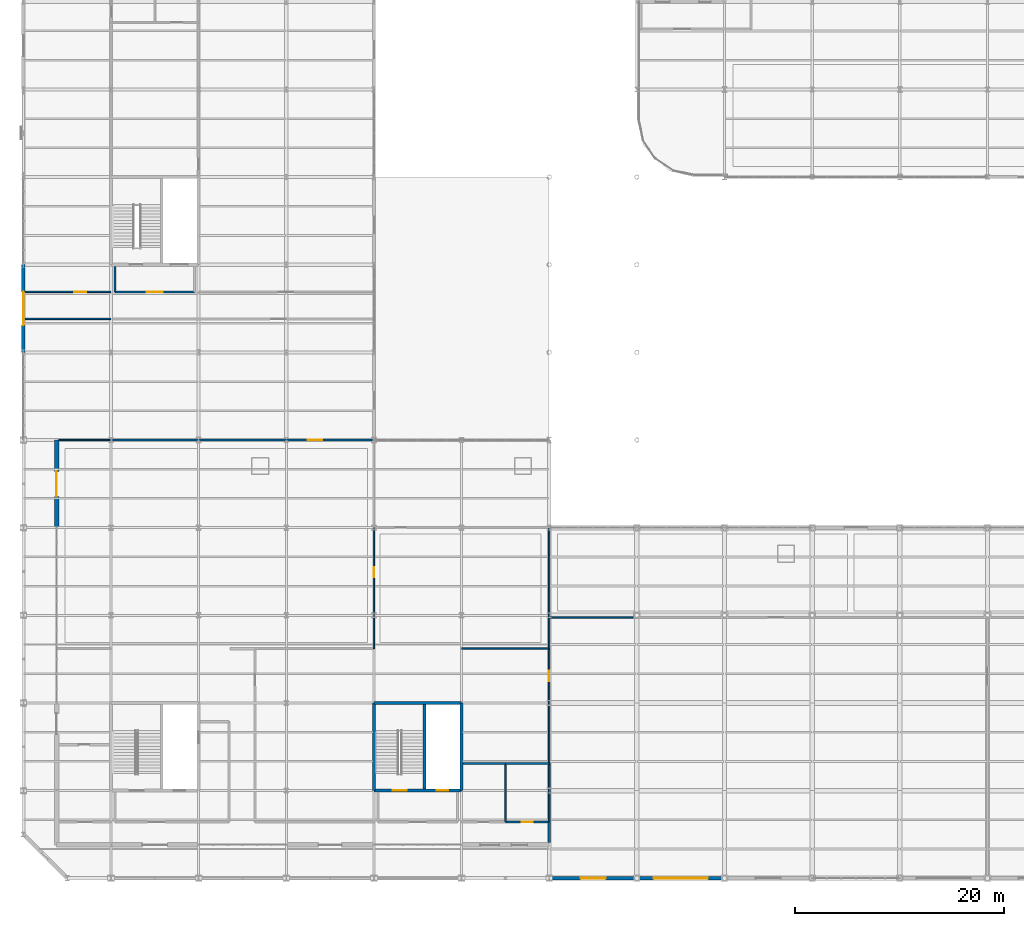
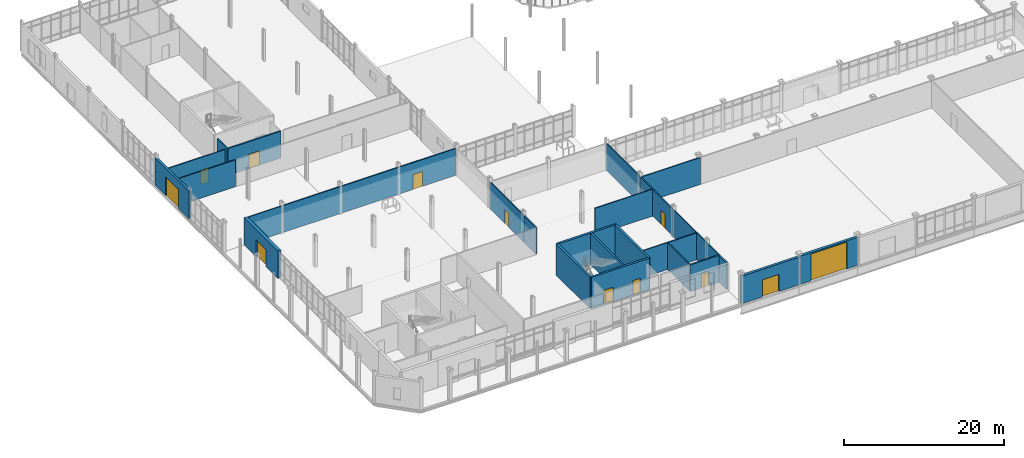
# One storey, part 124 of 145: 28 walls, 12 doors, 12 openings.
"""IFC4 building model written with IfcOpenShell, lengths in metres."""

import ifcopenshell
import ifcopenshell.guid

model = None  # the IFC model being written
_history = None  # IfcOwnerHistory: only IFC2X3 demands one
_inside = {}  # id of a spatial element -> (the spatial element, [elements in it])
_under = {}  # id of a project, library or spatial element -> (it, [spatial elements below it])
_declared = {}  # id of a project -> (the project, [libraries it declares])
_typed = {}  # id of a type object -> (the type object, [elements of that type])
_made_of = {}  # id of a material, layer set ... -> (it, [elements and type objects made of it])


def new_model(schema):
    """Start an empty IFC model of exactly this schema.

    Asked for "IFC4X3", IfcOpenShell would pick the latest addendum, in which some entities
    have other attributes; the version numbers below select the first issue.
    IFC2X3 requires an IfcOwnerHistory on every rooted entity: one is made here for all.
    """
    global model, _history
    if schema == "IFC4X3":
        model = ifcopenshell.file(schema_version=(4, 3, 0, 0))
    else:
        model = ifcopenshell.file(schema=schema)
    _inside.clear()
    _under.clear()
    _declared.clear()
    _typed.clear()
    _made_of.clear()
    _history = None
    if model.schema == "IFC2X3":
        org = make("IfcOrganization", Name="unknown")
        user = make(
            "IfcPersonAndOrganization",
            ThePerson=make("IfcPerson", FamilyName="unknown"),
            TheOrganization=org,
        )
        app = make(
            "IfcApplication",
            ApplicationDeveloper=org,
            Version="unknown",
            ApplicationFullName="unknown",
            ApplicationIdentifier="unknown",
        )
        _history = make(
            "IfcOwnerHistory",
            OwningUser=user,
            OwningApplication=app,
            ChangeAction="ADDED",
            CreationDate=0,
        )
    return model


def make(cls, **values):
    """One entity of the class cls with the attributes given. An attribute that is None is left unset."""
    return model.create_entity(
        cls, **{name: value for name, value in values.items() if value is not None}
    )


def rooted(cls, **values):
    """An entity with a GlobalId (a new one), such as an element, a storey or a relation."""
    return make(cls, GlobalId=ifcopenshell.guid.new(), OwnerHistory=_history, **values)


def si_unit(unit_type, name, prefix=None):
    """IfcSIUnit, for example si_unit("LENGTHUNIT", "METRE", prefix="MILLI")."""
    return make("IfcSIUnit", UnitType=unit_type, Prefix=prefix, Name=name)


def assignment(units):
    """IfcUnitAssignment: the units of a project."""
    return None if units is None else make("IfcUnitAssignment", Units=units)


def point(xyz):
    """IfcCartesianPoint."""
    return None if xyz is None else make("IfcCartesianPoint", Coordinates=xyz)


def direction(xyz):
    """IfcDirection."""
    return None if xyz is None else make("IfcDirection", DirectionRatios=xyz)


def frame(location, z_axis=None, x_axis=None):
    """IfcAxis2Placement3D, a coordinate frame: its origin and axes. An axis left out is left unset."""
    return make(
        "IfcAxis2Placement3D",
        Location=point(location),
        Axis=direction(z_axis),
        RefDirection=direction(x_axis),
    )


def frame_2d(location, x_axis=None):
    """IfcAxis2Placement2D, a coordinate frame in the plane: its origin and x axis."""
    return make(
        "IfcAxis2Placement2D", Location=point(location), RefDirection=direction(x_axis)
    )


def origin():
    """The frame at (0, 0, 0) with its axes left unset."""
    return frame((0.0, 0.0, 0.0))


def place(relative_to, where):
    """IfcLocalPlacement: puts the frame where relative to a parent placement (None: the world)."""
    return make(
        "IfcLocalPlacement", PlacementRelTo=relative_to, RelativePlacement=where
    )


def context(
    kind, dimensions, precision=None, world=None, true_north=None, identifier=None
):
    """IfcGeometricRepresentationContext, for example the 3D "Model" context."""
    return make(
        "IfcGeometricRepresentationContext",
        ContextIdentifier=identifier,
        ContextType=kind,
        CoordinateSpaceDimension=dimensions,
        Precision=precision,
        WorldCoordinateSystem=world,
        TrueNorth=true_north,
    )


def subcontext(parent, identifier, kind, view, scale=None):
    """IfcGeometricRepresentationSubContext, for example "Body" below "Model"."""
    return make(
        "IfcGeometricRepresentationSubContext",
        ContextIdentifier=identifier,
        ContextType=kind,
        ParentContext=parent,
        TargetScale=scale,
        TargetView=view,
    )


def project(units=None, contexts=None):
    """IfcProject with its units and contexts."""
    return rooted(
        "IfcProject",
        Name="project",
        RepresentationContexts=contexts,
        UnitsInContext=assignment(units),
    )


def spatial(cls, under=None, at=None, **own):
    """A site, building, storey or space (cls), placed at a placement, below another one or the project."""
    s = rooted(cls, ObjectPlacement=at, **own)
    if under is not None:
        _under.setdefault(under.id(), (under, []))[1].append(s)
    return s


def profile(cls, at=None, kind="AREA", **sizes):
    """A parametric profile (cls). Its sizes go by their IFC names, for example OverallWidth=200.0."""
    return make(cls, ProfileType=kind, Position=at, **sizes)


def rectangle(**sizes):
    """IfcRectangleProfileDef."""
    return profile("IfcRectangleProfileDef", **sizes)


def extrude(swept, where, along, depth):
    """IfcExtrudedAreaSolid: the profile swept, set in the frame where, extruded along a direction by depth."""
    return make(
        "IfcExtrudedAreaSolid",
        SweptArea=swept,
        Position=where,
        ExtrudedDirection=direction(along),
        Depth=depth,
    )


def shape(context_of_items, identifier, shape_type, items):
    """IfcShapeRepresentation: the items that make up one representation, for example the "Body"."""
    return make(
        "IfcShapeRepresentation",
        ContextOfItems=context_of_items,
        RepresentationIdentifier=identifier,
        RepresentationType=shape_type,
        Items=items,
    )


def material(Name=None, Category=None):
    """IfcMaterial."""
    return make("IfcMaterial", Name=Name, Category=Category)


def layer(
    of_material, thickness, ventilated=None, Name=None, Category=None, Priority=None
):
    """IfcMaterialLayer: one layer of a wall or slab, of a material (None: an air gap)."""
    return make(
        "IfcMaterialLayer",
        Material=of_material,
        LayerThickness=thickness,
        IsVentilated=ventilated,
        Name=Name,
        Category=Category,
        Priority=Priority,
    )


def layer_set(layers, Name=None):
    """IfcMaterialLayerSet."""
    return make("IfcMaterialLayerSet", MaterialLayers=layers, LayerSetName=Name)


def made_of(thing, what):
    """Note that an element or type object is made of a material, layer set ...; save() writes the relation."""
    if what is not None:
        _made_of.setdefault(what.id(), (what, []))[1].append(thing)
    return thing


def type_object(cls, material=None, **own):
    """A type object (cls), such as IfcWallType, which elements share."""
    return made_of(rooted(cls, **own), material)


def element(
    cls,
    number,
    at=None,
    inside=None,
    cuts=None,
    type_object=None,
    material=None,
    context=None,
    identifier="Body",
    shape_type=None,
    held_by="IfcProductDefinitionShape",
    body=None,
    shapes=None,
    **own,
):
    """One element of the class cls, such as IfcWall. Its Tag is "e" and its number.

    at: its placement. inside: the storey or other place that contains it. cuts: it is an
    opening in that element (IfcRelVoidsElement). A single representation is given by context,
    identifier, shape_type and body (its items); several are given by shapes. held_by: the class
    of the entity that holds the representations. save() writes the other relations.
    """
    e = rooted(cls, Tag="e%d" % number, ObjectPlacement=at, **own)
    if body is not None:
        shapes = [shape(context, identifier, shape_type, body)]
    if shapes is not None:
        e.Representation = make(held_by, Representations=shapes)
    if inside is not None:
        _inside.setdefault(inside.id(), (inside, []))[1].append(e)
    if cuts is not None:
        rooted(
            "IfcRelVoidsElement", RelatingBuildingElement=cuts, RelatedOpeningElement=e
        )
    if type_object is not None:
        _typed.setdefault(type_object.id(), (type_object, []))[1].append(e)
    return made_of(e, material)


def fill(opening, filler):
    """IfcRelFillsElement: the door or window that sits in an opening."""
    return rooted(
        "IfcRelFillsElement",
        RelatingOpeningElement=opening,
        RelatedBuildingElement=filler,
    )


def aggregate(whole, parts):
    """IfcRelAggregates: a whole, such as a stair, and the parts it consists of."""
    return rooted("IfcRelAggregates", RelatingObject=whole, RelatedObjects=parts)


def save(model, path):
    """Write the relations noted so far, then the file.

    IfcRelAggregates (storeys below a building ...), IfcRelContainedInSpatialStructure (elements
    in a storey), IfcRelDefinesByType, IfcRelAssociatesMaterial and IfcRelDeclares: one each for
    every whole, place, type object, material and project.
    """
    for whole, parts in _under.values():
        aggregate(whole, parts)
    for where, things in _inside.values():
        rooted(
            "IfcRelContainedInSpatialStructure",
            RelatedElements=things,
            RelatingStructure=where,
        )
    for kind, things in _typed.values():
        rooted("IfcRelDefinesByType", RelatedObjects=things, RelatingType=kind)
    for what, things in _made_of.values():
        rooted("IfcRelAssociatesMaterial", RelatedObjects=things, RelatingMaterial=what)
    for by, libraries in _declared.values():
        rooted("IfcRelDeclares", RelatingContext=by, RelatedDefinitions=libraries)
    model.write(path)


model = new_model("IFC4")

# Units and contexts
model_context = context("Model", 3, precision=1e-05, world=origin(), true_north=direction((0.0, 1.0)))
body_context = subcontext(model_context, "Body", "Model", "MODEL_VIEW")
ifc_project = project(units=[si_unit("LENGTHUNIT", "METRE"), si_unit("AREAUNIT", "SQUARE_METRE"), si_unit("VOLUMEUNIT", "CUBIC_METRE"), si_unit("PLANEANGLEUNIT", "RADIAN"), si_unit("MASSUNIT", "GRAM", prefix="KILO")], contexts=[model_context])

# Site, building, storey
site_placement = place(None, origin())
site = spatial("IfcSite", under=ifc_project, at=site_placement, CompositionType="ELEMENT")
building_placement = place(site_placement, origin())
building = spatial("IfcBuilding", under=site, at=building_placement, Name="Qalvenar Corner Mobility Hub", CompositionType="ELEMENT")
storey_placement = place(building_placement, origin())
storey = spatial("IfcBuildingStorey", under=building, at=storey_placement, Name="L00", CompositionType="ELEMENT", Elevation=0.0)

# Wall
ifc_material_1 = material(Name="Concrete C40/50", Category="concrete")
ifc_layer_1 = layer(ifc_material_1, 0.25)
ifc_layer_set_1 = layer_set([ifc_layer_1], Name="Concrete C40/50")
wall_type_1 = type_object("IfcWallType", Name="WL-CORE250", PredefinedType="SHEAR", material=ifc_layer_set_1)
wall_1_placement = place(storey_placement, frame((38.449951171875, 8.550048828125, 0.0), z_axis=(0.0, 0.0, 1.0), x_axis=(0.0, 1.0, 0.0)))
element("IfcWall", 1, at=wall_1_placement, inside=storey, type_object=wall_type_1, Name="Core Divider Wall C2-L00", PredefinedType="SHEAR", context=body_context, shape_type="SweptSolid", body=[
    extrude(rectangle(XDim=8.099853515625, YDim=0.25, at=frame_2d((4.0498046875, 0.0))), origin(), (0.0, 0.0, 1.0), 4.800048828125),
])

# Wall, openings, doors
ifc_layer_2 = layer(ifc_material_1, 0.300048828125)
ifc_layer_set_2 = layer_set([ifc_layer_2], Name="Concrete C40/50")
wall_type_2 = type_object("IfcWallType", Name="WL-CORE300", PredefinedType="SHEAR", material=ifc_layer_set_2)
wall_2_placement = place(storey_placement, frame((33.60009765625, 8.39990234375, 0.0), z_axis=(0.0, 0.0, 1.0), x_axis=(1.0, 0.0, 0.0)))
wall_2 = element("IfcWall", 2, at=wall_2_placement, inside=storey, type_object=wall_type_2, Name="Core Shear Wall C2-L00-S", PredefinedType="SHEAR", context=body_context, shape_type="SweptSolid", body=[
    extrude(rectangle(XDim=8.39990234375, YDim=0.300048828125, at=frame_2d((4.199951171875, 0.0))), origin(), (0.0, 0.0, 1.0), 4.800048828125),
])
opening_1_placement = place(wall_2_placement, frame((1.800048828125, 0.0, 0.0)))
opening_1 = element("IfcOpeningElement", 3, at=opening_1_placement, cuts=wall_2, Name="Opening DR-071", PredefinedType="OPENING", context=body_context, shape_type="SweptSolid", body=[
    extrude(rectangle(XDim=1.35009765625, YDim=2.199951171875, at=frame_2d((0.675048828125, 1.10009765625))), frame((0.0, 0.16015625, 0.0), z_axis=(0.0, -1.0, 0.0), x_axis=(1.0, 0.0, 0.0)), (0.0, 0.0, 1.0), 0.320068359375),
])
opening_2_placement = place(wall_2_placement, frame((6.0, 0.0, 0.0)))
opening_2 = element("IfcOpeningElement", 4, at=opening_2_placement, cuts=wall_2, Name="Opening DR-072", PredefinedType="OPENING", context=body_context, shape_type="SweptSolid", body=[
    extrude(rectangle(XDim=1.10009765625, YDim=2.199951171875, at=frame_2d((0.550048828125, 1.10009765625))), frame((0.0, 0.16015625, 0.0), z_axis=(0.0, -1.0, 0.0), x_axis=(1.0, 0.0, 0.0)), (0.0, 0.0, 1.0), 0.320068359375),
])
ifc_material_2 = material(Name="Stainless Steel Lift Landing Door", Category="steel")
door_type_1 = type_object("IfcDoorType", Name="DR-LIFT-110", OperationType="SLIDING_TO_LEFT", PredefinedType="DOOR", material=ifc_material_2)
door_1_placement = place(opening_2_placement, origin())
door_1 = element("IfcDoor", 5, at=door_1_placement, inside=storey, type_object=door_type_1, Name="DR-072 Lift Landing Door LF2-L00", OperationType="SLIDING_TO_LEFT", OverallHeight=2.199951171875, OverallWidth=1.10009765625, PredefinedType="DOOR", context=body_context, shape_type="SweptSolid", body=[
    extrude(rectangle(XDim=1.10009765625, YDim=2.199951171875, at=frame_2d((0.550048828125, 1.10009765625))), frame((0.0, 0.02490234375, 0.0), z_axis=(0.0, -1.0, 0.0), x_axis=(1.0, 0.0, 0.0)), (0.0, 0.0, 1.0), 0.050048828125),
])
fill(opening_2, door_1)
ifc_material_3 = material(Name="Fire-Rated Steel Stair Door FD90", Category="steel")
door_type_2 = type_object("IfcDoorType", Name="DR-STAIR-135", OperationType="NOTDEFINED", PredefinedType="DOOR", material=ifc_material_3)
door_2_placement = place(opening_1_placement, origin())
door_2 = element("IfcDoor", 6, at=door_2_placement, inside=storey, type_object=door_type_2, Name="DR-071 Stair Fire Door ST2-L00", OperationType="SINGLE_SWING_RIGHT", OverallHeight=2.199951171875, OverallWidth=1.35009765625, PredefinedType="DOOR", context=body_context, shape_type="SweptSolid", body=[
    extrude(rectangle(XDim=1.35009765625, YDim=2.199951171875, at=frame_2d((0.675048828125, 1.10009765625))), frame((0.0, 0.02490234375, 0.0), z_axis=(0.0, -1.0, 0.0), x_axis=(1.0, 0.0, 0.0)), (0.0, 0.0, 1.0), 0.050048828125),
])
fill(opening_1, door_2)

# Walls
wall_3_placement = place(storey_placement, frame((42.0, 8.39990234375, 0.0), z_axis=(0.0, 0.0, 1.0), x_axis=(0.0, 1.0, 0.0)))
element("IfcWall", 7, at=wall_3_placement, inside=storey, type_object=wall_type_2, Name="Core Shear Wall C2-L00-E", PredefinedType="SHEAR", context=body_context, shape_type="SweptSolid", body=[
    extrude(rectangle(XDim=8.400146484375, YDim=0.300048828125, at=frame_2d((4.2001953125, 0.0))), origin(), (0.0, 0.0, 1.0), 4.800048828125),
])
wall_4_placement = place(storey_placement, frame((42.0, 16.800048828125, 0.0), z_axis=(0.0, 0.0, 1.0), x_axis=(-1.0, 0.0, 0.0)))
element("IfcWall", 8, at=wall_4_placement, inside=storey, type_object=wall_type_2, Name="Core Shear Wall C2-L00-N", PredefinedType="SHEAR", context=body_context, shape_type="SweptSolid", body=[
    extrude(rectangle(XDim=8.39990234375, YDim=0.300048828125, at=frame_2d((4.199951171875, 0.0))), origin(), (0.0, 0.0, 1.0), 4.800048828125),
])
wall_5_placement = place(storey_placement, frame((33.60009765625, 16.800048828125, 0.0), z_axis=(0.0, 0.0, 1.0), x_axis=(0.0, -1.0, 0.0)))
element("IfcWall", 9, at=wall_5_placement, inside=storey, type_object=wall_type_2, Name="Core Shear Wall C2-L00-W", PredefinedType="SHEAR", context=body_context, shape_type="SweptSolid", body=[
    extrude(rectangle(XDim=8.400146484375, YDim=0.300048828125, at=frame_2d((4.2001953125, 0.0))), origin(), (0.0, 0.0, 1.0), 4.800048828125),
])

# Wall, opening, door
ifc_material_4 = material(Name="Carved Red Sandstone Arcade Pier Masonry", Category="masonry")
ifc_layer_3 = layer(ifc_material_4, 0.419921875)
ifc_layer_set_3 = layer_set([ifc_layer_3], Name="Carved Red Sandstone Arcade Pier Masonry")
wall_type_3 = type_object("IfcWallType", Name="WL-EXT-ARC420", PredefinedType="STANDARD", material=ifc_layer_set_3)
wall_6_placement = place(storey_placement, frame((3.199951171875, 42.0, 0.0), z_axis=(0.0, 0.0, 1.0), x_axis=(0.0, -1.0, 0.0)))
wall_6 = element("IfcWall", 10, at=wall_6_placement, inside=storey, type_object=wall_type_3, Name="Exterior Facade Wall EW-V3-L00-007", PredefinedType="STANDARD", context=body_context, shape_type="SweptSolid", body=[
    extrude(rectangle(XDim=8.39990234375, YDim=0.419921875, at=frame_2d((4.199951171875, 0.0))), origin(), (0.0, 0.0, 1.0), 4.179931640625),
])
opening_3_placement = place(wall_6_placement, frame((3.0, 0.0, 0.0)))
opening_3 = element("IfcOpeningElement", 11, at=opening_3_placement, cuts=wall_6, Name="Opening DR-049", PredefinedType="OPENING", context=body_context, shape_type="SweptSolid", body=[
    extrude(rectangle(XDim=2.39990234375, YDim=2.60009765625, at=frame_2d((1.199951171875, 1.300048828125))), frame((0.0, 0.219970703125, 0.0), z_axis=(0.0, -1.0, 0.0), x_axis=(1.0, 0.0, 0.0)), (0.0, 0.0, 1.0), 0.43994140625),
])
ifc_material_5 = material(Name="Bronze-Framed Glazed Entrance Door", Category="aluminium")
door_type_3 = type_object("IfcDoorType", Name="DR-EXT-DBL240", OperationType="DOUBLE_DOOR_SINGLE_SWING", PredefinedType="DOOR", material=ifc_material_5)
door_3_placement = place(opening_3_placement, origin())
door_3 = element("IfcDoor", 12, at=door_3_placement, inside=storey, type_object=door_type_3, Name="DR-049 Pedestrian Final Exit Door E4", OperationType="DOUBLE_DOOR_SINGLE_SWING", OverallHeight=2.60009765625, OverallWidth=2.39990234375, PredefinedType="DOOR", context=body_context, shape_type="SweptSolid", body=[
    extrude(rectangle(XDim=2.39990234375, YDim=2.60009765625, at=frame_2d((1.199951171875, 1.300048828125))), frame((0.0, 0.02490234375, 0.0), z_axis=(0.0, -1.0, 0.0), x_axis=(1.0, 0.0, 0.0)), (0.0, 0.0, 1.0), 0.050048828125),
])
fill(opening_3, door_3)

ifc_material_6 = material(Name="Red Sandstone Ashlar Masonry", Category="masonry")
ifc_layer_4 = layer(ifc_material_6, 0.320068359375)
ifc_layer_set_4 = layer_set([ifc_layer_4], Name="Red Sandstone Ashlar Masonry")
wall_type_4 = type_object("IfcWallType", Name="WL-EXT-SAND320", PredefinedType="STANDARD", material=ifc_layer_set_4)
wall_7_placement = place(storey_placement, frame((0.0, 58.800048828125, 0.0), z_axis=(0.0, 0.0, 1.0), x_axis=(0.0, -1.0, 0.0)))
wall_7 = element("IfcWall", 13, at=wall_7_placement, inside=storey, type_object=wall_type_4, Name="Exterior Facade Wall EW-V5-L00-W1", PredefinedType="STANDARD", context=body_context, shape_type="SweptSolid", body=[
    extrude(rectangle(XDim=8.400146484375, YDim=0.320068359375, at=frame_2d((4.2001953125, 0.0))), origin(), (0.0, 0.0, 1.0), 4.219970703125),
])
opening_4_placement = place(wall_7_placement, frame((2.60009765625, 0.0, 0.0)))
opening_4 = element("IfcOpeningElement", 14, at=opening_4_placement, cuts=wall_7, Name="Opening DR-059", PredefinedType="OPENING", context=body_context, shape_type="SweptSolid", body=[
    extrude(rectangle(XDim=3.199951171875, YDim=2.89990234375, at=frame_2d((1.60009765625, 1.449951171875))), frame((0.0, 0.169921875, 0.0), z_axis=(0.0, -1.0, 0.0), x_axis=(1.0, 0.0, 0.0)), (0.0, 0.0, 1.0), 0.340087890625),
])
ifc_material_7 = material(Name="Art Nouveau Wrought-Steel Cycle Hall Portal Gate", Category="steel")
door_type_4 = type_object("IfcDoorType", Name="GT-CYC-320", OperationType="SLIDING_TO_RIGHT", PredefinedType="GATE", material=ifc_material_7)
door_4_placement = place(opening_4_placement, origin())
door_4 = element("IfcDoor", 15, at=door_4_placement, inside=storey, type_object=door_type_4, Name="DR-059 Cycle Hall Street Portal Gate VG4", OperationType="SLIDING_TO_RIGHT", OverallHeight=2.89990234375, OverallWidth=3.199951171875, PredefinedType="GATE", context=body_context, shape_type="SweptSolid", body=[
    extrude(rectangle(XDim=3.199951171875, YDim=2.89990234375, at=frame_2d((1.60009765625, 1.449951171875))), frame((0.0, 0.02490234375, 0.0), z_axis=(0.0, -1.0, 0.0), x_axis=(1.0, 0.0, 0.0)), (0.0, 0.0, 1.0), 0.050048828125),
])
fill(opening_4, door_4)

ifc_material_8 = material(Name="Red Sandstone Ashlar Masonry", Category="masonry")
ifc_layer_5 = layer(ifc_material_8, 0.360107421875)
ifc_layer_set_5 = layer_set([ifc_layer_5], Name="Red Sandstone Ashlar Masonry")
wall_type_5 = type_object("IfcWallType", Name="WL-EXT-SAND360", PredefinedType="STANDARD", material=ifc_layer_set_5)
wall_8_placement = place(storey_placement, frame((50.39990234375, 0.0, 0.0), z_axis=(0.0, 0.0, 1.0), x_axis=(1.0, 0.0, 0.0)))
wall_8 = element("IfcWall", 16, at=wall_8_placement, inside=storey, type_object=wall_type_5, Name="Exterior Facade Wall EW-V1-S-0", PredefinedType="STANDARD", context=body_context, shape_type="SweptSolid", body=[
    extrude(rectangle(XDim=8.400146484375, YDim=0.360107421875, at=frame_2d((4.2001953125, 0.0))), origin(), (0.0, 0.0, 1.0), 4.199951171875),
])
opening_5_placement = place(wall_8_placement, frame((3.0, 0.0, 0.0)))
opening_5 = element("IfcOpeningElement", 17, at=opening_5_placement, cuts=wall_8, Name="Opening DR-050", PredefinedType="OPENING", context=body_context, shape_type="SweptSolid", body=[
    extrude(rectangle(XDim=2.39990234375, YDim=2.60009765625, at=frame_2d((1.199951171875, 1.300048828125))), frame((0.0, 0.18994140625, 0.0), z_axis=(0.0, -1.0, 0.0), x_axis=(1.0, 0.0, 0.0)), (0.0, 0.0, 1.0), 0.380126953125),
])
door_5_placement = place(opening_5_placement, origin())
door_5 = element("IfcDoor", 18, at=door_5_placement, inside=storey, type_object=door_type_3, Name="DR-050 Concourse Pedestrian Exit Door E5", OperationType="DOUBLE_DOOR_SINGLE_SWING", OverallHeight=2.60009765625, OverallWidth=2.39990234375, PredefinedType="DOOR", context=body_context, shape_type="SweptSolid", body=[
    extrude(rectangle(XDim=2.39990234375, YDim=2.60009765625, at=frame_2d((1.199951171875, 1.300048828125))), frame((0.0, 0.02490234375, 0.0), z_axis=(0.0, -1.0, 0.0), x_axis=(1.0, 0.0, 0.0)), (0.0, 0.0, 1.0), 0.050048828125),
])
fill(opening_5, door_5)

wall_9_placement = place(storey_placement, frame((58.800048828125, 0.0, 0.0), z_axis=(0.0, 0.0, 1.0), x_axis=(1.0, 0.0, 0.0)))
wall_9 = element("IfcWall", 19, at=wall_9_placement, inside=storey, type_object=wall_type_5, Name="Exterior Facade Wall EW-V1-S-1", PredefinedType="STANDARD", context=body_context, shape_type="SweptSolid", body=[
    extrude(rectangle(XDim=8.39990234375, YDim=0.360107421875, at=frame_2d((4.199951171875, 0.0))), origin(), (0.0, 0.0, 1.0), 4.300048828125),
])
opening_6_placement = place(wall_9_placement, frame((1.60009765625, 0.0, 0.0)))
opening_6 = element("IfcOpeningElement", 20, at=opening_6_placement, cuts=wall_9, Name="Opening DR-051", PredefinedType="OPENING", context=body_context, shape_type="SweptSolid", body=[
    extrude(rectangle(XDim=5.199951171875, YDim=4.10009765625, at=frame_2d((2.60009765625, 2.050048828125))), frame((0.0, 0.18994140625, 0.0), z_axis=(0.0, -1.0, 0.0), x_axis=(1.0, 0.0, 0.0)), (0.0, 0.0, 1.0), 0.380126953125),
])
ifc_material_9 = material(Name="Heavy-Duty Bus Bay Security Shutter Gate", Category="steel")
door_type_5 = type_object("IfcDoorType", Name="GT-BUS-520", OperationType="ROLLINGUP", PredefinedType="GATE", material=ifc_material_9)
door_6_placement = place(opening_6_placement, origin())
door_6 = element("IfcDoor", 21, at=door_6_placement, inside=storey, type_object=door_type_5, Name="DR-051 Bus Apron Portal Gate VG3-1", OperationType="ROLLINGUP", OverallHeight=4.10009765625, OverallWidth=5.199951171875, PredefinedType="GATE", context=body_context, shape_type="SweptSolid", body=[
    extrude(rectangle(XDim=5.199951171875, YDim=4.10009765625, at=frame_2d((2.60009765625, 2.050048828125))), frame((0.0, 0.02490234375, 0.0), z_axis=(0.0, -1.0, 0.0), x_axis=(1.0, 0.0, 0.0)), (0.0, 0.0, 1.0), 0.050048828125),
])
fill(opening_6, door_6)

ifc_material_10 = material(Name="Concrete Blockwork Masonry", Category="masonry")
ifc_layer_6 = layer(ifc_material_10, 0.219970703125)
ifc_layer_set_6 = layer_set([ifc_layer_6], Name="Concrete Blockwork Masonry")
wall_type_6 = type_object("IfcWallType", Name="WL-FIRE220", PredefinedType="PARTITIONING", material=ifc_layer_set_6)
wall_10_placement = place(storey_placement, frame((46.199951171875, 5.39990234375, 0.0), z_axis=(0.0, 0.0, 1.0), x_axis=(1.0, 0.0, 0.0)))
wall_10 = element("IfcWall", 22, at=wall_10_placement, inside=storey, type_object=wall_type_6, Name="Interior Partition PRT-L00-004", PredefinedType="PARTITIONING", context=body_context, shape_type="SweptSolid", body=[
    extrude(rectangle(XDim=4.199951171875, YDim=0.219970703125, at=frame_2d((2.10009765625, 0.0))), origin(), (0.0, 0.0, 1.0), 4.10009765625),
])
opening_7_placement = place(wall_10_placement, frame((1.574951171875, 0.0, 0.0)))
opening_7 = element("IfcOpeningElement", 23, at=opening_7_placement, cuts=wall_10, Name="Opening DR-089", PredefinedType="OPENING", context=body_context, shape_type="SweptSolid", body=[
    extrude(rectangle(XDim=1.050048828125, YDim=2.14990234375, at=frame_2d((0.52490234375, 1.074951171875))), frame((0.0, 0.1201171875, 0.0), z_axis=(0.0, -1.0, 0.0), x_axis=(1.0, 0.0, 0.0)), (0.0, 0.0, 1.0), 0.239990234375),
])
ifc_material_11 = material(Name="Accessible Wheelchair WC Door", Category="wood")
door_type_6 = type_object("IfcDoorType", Name="DR-INT-AWC105", OperationType="NOTDEFINED", PredefinedType="DOOR", material=ifc_material_11)
door_7_placement = place(opening_7_placement, origin())
door_7 = element("IfcDoor", 24, at=door_7_placement, inside=storey, type_object=door_type_6, Name="DR-089 Ground Accessible WC Door", OperationType="SINGLE_SWING_RIGHT", OverallHeight=2.14990234375, OverallWidth=1.050048828125, PredefinedType="DOOR", context=body_context, shape_type="SweptSolid", body=[
    extrude(rectangle(XDim=1.050048828125, YDim=2.14990234375, at=frame_2d((0.52490234375, 1.074951171875))), frame((0.0, 0.02490234375, 0.0), z_axis=(0.0, -1.0, 0.0), x_axis=(1.0, 0.0, 0.0)), (0.0, 0.0, 1.0), 0.050048828125),
])
fill(opening_7, door_7)

# Walls
wall_11_placement = place(storey_placement, frame((50.39990234375, 3.4150390625, 0.0), z_axis=(0.0, 0.0, 1.0), x_axis=(0.0, 1.0, 0.0)))
element("IfcWall", 25, at=wall_11_placement, inside=storey, type_object=wall_type_6, Name="Interior Partition PRT-L00-047", PredefinedType="PARTITIONING", context=body_context, shape_type="SweptSolid", body=[
    extrude(rectangle(XDim=1.98486328125, YDim=0.219970703125, at=frame_2d((0.992431640625, 0.0))), origin(), (0.0, 0.0, 1.0), 4.10009765625),
])
ifc_material_12 = material(Name="Acoustic Gypsum Stud Partition", Category="masonry")
ifc_layer_7 = layer(ifc_material_12, 0.139892578125)
ifc_layer_set_7 = layer_set([ifc_layer_7], Name="Acoustic Gypsum Stud Partition")
wall_type_7 = type_object("IfcWallType", Name="WL-INT140", PredefinedType="PARTITIONING", material=ifc_layer_set_7)
wall_12_placement = place(storey_placement, frame((42.0, 22.0, 0.0), z_axis=(0.0, 0.0, 1.0), x_axis=(1.0, 0.0, 0.0)))
element("IfcWall", 26, at=wall_12_placement, inside=storey, type_object=wall_type_7, Name="Interior Partition PRT-L00-017", PredefinedType="PARTITIONING", context=body_context, shape_type="SweptSolid", body=[
    extrude(rectangle(XDim=8.39990234375, YDim=0.139892578125, at=frame_2d((4.199951171875, 0.0))), origin(), (0.0, 0.0, 1.0), 4.10009765625),
])
wall_13_placement = place(storey_placement, frame((50.39990234375, 25.0, 0.0), z_axis=(0.0, 0.0, 1.0), x_axis=(1.0, 0.0, 0.0)))
element("IfcWall", 27, at=wall_13_placement, inside=storey, type_object=wall_type_7, Name="Interior Partition PRT-L00-018", PredefinedType="PARTITIONING", context=body_context, shape_type="SweptSolid", body=[
    extrude(rectangle(XDim=8.550048828125, YDim=0.139892578125, at=frame_2d((4.27490234375, 0.0))), origin(), (0.0, 0.0, 1.0), 4.10009765625),
])
wall_14_placement = place(storey_placement, frame((3.4150390625, 42.0, 0.0), z_axis=(0.0, 0.0, 1.0), x_axis=(1.0, 0.0, 0.0)))
element("IfcWall", 28, at=wall_14_placement, inside=storey, type_object=wall_type_7, Name="Interior Partition PRT-L00-022", PredefinedType="PARTITIONING", context=body_context, shape_type="SweptSolid", body=[
    extrude(rectangle(XDim=4.98486328125, YDim=0.139892578125, at=frame_2d((2.492431640625, 0.0))), origin(), (0.0, 0.0, 1.0), 4.10009765625),
])
wall_15_placement = place(storey_placement, frame((0.1650390625, 53.60009765625, 0.0), z_axis=(0.0, 0.0, 1.0), x_axis=(1.0, 0.0, 0.0)))
element("IfcWall", 29, at=wall_15_placement, inside=storey, type_object=wall_type_7, Name="Interior Partition PRT-L00-025", PredefinedType="PARTITIONING", context=body_context, shape_type="SweptSolid", body=[
    extrude(rectangle(XDim=8.23486328125, YDim=0.139892578125, at=frame_2d((4.117431640625, 0.0))), origin(), (0.0, 0.0, 1.0), 4.10009765625),
])

# Wall, opening, door
wall_16_placement = place(storey_placement, frame((0.1650390625, 56.199951171875, 0.0), z_axis=(0.0, 0.0, 1.0), x_axis=(1.0, 0.0, 0.0)))
wall_16 = element("IfcWall", 30, at=wall_16_placement, inside=storey, type_object=wall_type_7, Name="Interior Partition PRT-L00-027", PredefinedType="PARTITIONING", context=body_context, shape_type="SweptSolid", body=[
    extrude(rectangle(XDim=8.23486328125, YDim=0.139892578125, at=frame_2d((4.117431640625, 0.0))), origin(), (0.0, 0.0, 1.0), 4.10009765625),
])
opening_8_placement = place(wall_16_placement, frame((4.719970703125, 0.0, 0.0)))
opening_8 = element("IfcOpeningElement", 31, at=opening_8_placement, cuts=wall_16, Name="Opening DR-100", PredefinedType="OPENING", context=body_context, shape_type="SweptSolid", body=[
    extrude(rectangle(XDim=1.14990234375, YDim=2.14990234375, at=frame_2d((0.574951171875, 1.074951171875))), frame((0.0, 0.080078125, 0.0), z_axis=(0.0, -1.0, 0.0), x_axis=(1.0, 0.0, 0.0)), (0.0, 0.0, 1.0), 0.159912109375),
])
ifc_material_13 = material(Name="Steel Parts Store Door FD60", Category="steel")
door_type_7 = type_object("IfcDoorType", Name="DR-INT-STR115", OperationType="NOTDEFINED", PredefinedType="DOOR", material=ifc_material_13)
door_8_placement = place(opening_8_placement, origin())
door_8 = element("IfcDoor", 32, at=door_8_placement, inside=storey, type_object=door_type_7, Name="DR-100 Ground Bicycle Store Hall Door", OperationType="SINGLE_SWING_LEFT", OverallHeight=2.14990234375, OverallWidth=1.14990234375, PredefinedType="DOOR", context=body_context, shape_type="SweptSolid", body=[
    extrude(rectangle(XDim=1.14990234375, YDim=2.14990234375, at=frame_2d((0.574951171875, 1.074951171875))), frame((0.0, 0.02490234375, 0.0), z_axis=(0.0, -1.0, 0.0), x_axis=(1.0, 0.0, 0.0)), (0.0, 0.0, 1.0), 0.050048828125),
])
fill(opening_8, door_8)

# Wall
wall_17_placement = place(storey_placement, frame((33.60009765625, 22.0, 0.0), z_axis=(0.0, 0.0, 1.0), x_axis=(0.0, 1.0, 0.0)))
element("IfcWall", 33, at=wall_17_placement, inside=storey, type_object=wall_type_7, Name="Interior Partition PRT-L00-043", PredefinedType="PARTITIONING", context=body_context, shape_type="SweptSolid", body=[
    extrude(rectangle(XDim=3.0, YDim=0.139892578125, at=frame_2d((1.5, 0.0))), origin(), (0.0, 0.0, 1.0), 4.090087890625),
])

# Wall, opening, door
wall_18_placement = place(storey_placement, frame((33.60009765625, 25.050048828125, 0.0), z_axis=(0.0, 0.0, 1.0), x_axis=(0.0, 1.0, 0.0)))
wall_18 = element("IfcWall", 34, at=wall_18_placement, inside=storey, type_object=wall_type_7, Name="Interior Partition PRT-L00-044", PredefinedType="PARTITIONING", context=body_context, shape_type="SweptSolid", body=[
    extrude(rectangle(XDim=8.550048828125, YDim=0.139892578125, at=frame_2d((4.27490234375, 0.0))), origin(), (0.0, 0.0, 1.0), 4.090087890625),
])
opening_9_placement = place(wall_18_placement, frame((3.77490234375, 0.0, 0.0)))
opening_9 = element("IfcOpeningElement", 35, at=opening_9_placement, cuts=wall_18, Name="Opening DR-108", PredefinedType="OPENING", context=body_context, shape_type="SweptSolid", body=[
    extrude(rectangle(XDim=1.0, YDim=2.14990234375, at=frame_2d((0.5, 1.074951171875))), frame((0.0, 0.080078125, 0.0), z_axis=(0.0, -1.0, 0.0), x_axis=(1.0, 0.0, 0.0)), (0.0, 0.0, 1.0), 0.159912109375),
])
ifc_material_14 = material(Name="Hardwood Teak Office Door FD30", Category="wood")
door_type_8 = type_object("IfcDoorType", Name="DR-INT-OFF100", OperationType="NOTDEFINED", PredefinedType="DOOR", material=ifc_material_14)
door_9_placement = place(opening_9_placement, origin())
door_9 = element("IfcDoor", 36, at=door_9_placement, inside=storey, type_object=door_type_8, Name="DR-108 Art Nouveau Transit Cafe and Bakery Door", OperationType="SINGLE_SWING_LEFT", OverallHeight=2.14990234375, OverallWidth=1.0, PredefinedType="DOOR", context=body_context, shape_type="SweptSolid", body=[
    extrude(rectangle(XDim=1.0, YDim=2.14990234375, at=frame_2d((0.5, 1.074951171875))), frame((0.0, 0.02490234375, 0.0), z_axis=(0.0, -1.0, 0.0), x_axis=(1.0, 0.0, 0.0)), (0.0, 0.0, 1.0), 0.050048828125),
])
fill(opening_9, door_9)

wall_19_placement = place(storey_placement, frame((50.39990234375, 11.0, 0.0), z_axis=(0.0, 0.0, 1.0), x_axis=(0.0, 1.0, 0.0)))
wall_19 = element("IfcWall", 37, at=wall_19_placement, inside=storey, type_object=wall_type_7, Name="Interior Partition PRT-L00-049", PredefinedType="PARTITIONING", context=body_context, shape_type="SweptSolid", body=[
    extrude(rectangle(XDim=11.0, YDim=0.139892578125, at=frame_2d((5.5, 0.0))), origin(), (0.0, 0.0, 1.0), 4.10009765625),
])
opening_10_placement = place(wall_19_placement, frame((7.8701171875, 0.0, 0.0)))
opening_10 = element("IfcOpeningElement", 38, at=opening_10_placement, cuts=wall_19, Name="Opening DR-109", PredefinedType="OPENING", context=body_context, shape_type="SweptSolid", body=[
    extrude(rectangle(XDim=1.0, YDim=2.14990234375, at=frame_2d((0.5, 1.074951171875))), frame((0.0, 0.080078125, 0.0), z_axis=(0.0, -1.0, 0.0), x_axis=(1.0, 0.0, 0.0)), (0.0, 0.0, 1.0), 0.159912109375),
])
door_10_placement = place(opening_10_placement, origin())
door_10 = element("IfcDoor", 39, at=door_10_placement, inside=storey, type_object=door_type_8, Name="DR-109 Passenger Customer Care Desk Door", OperationType="SINGLE_SWING_RIGHT", OverallHeight=2.14990234375, OverallWidth=1.0, PredefinedType="DOOR", context=body_context, shape_type="SweptSolid", body=[
    extrude(rectangle(XDim=1.0, YDim=2.14990234375, at=frame_2d((0.5, 1.074951171875))), frame((0.0, 0.02490234375, 0.0), z_axis=(0.0, -1.0, 0.0), x_axis=(1.0, 0.0, 0.0)), (0.0, 0.0, 1.0), 0.050048828125),
])
fill(opening_10, door_10)

# Walls
wall_20_placement = place(storey_placement, frame((50.39990234375, 22.0, 0.0), z_axis=(0.0, 0.0, 1.0), x_axis=(0.0, 1.0, 0.0)))
element("IfcWall", 40, at=wall_20_placement, inside=storey, type_object=wall_type_7, Name="Interior Partition PRT-L00-050", PredefinedType="PARTITIONING", context=body_context, shape_type="SweptSolid", body=[
    extrude(rectangle(XDim=3.0, YDim=0.139892578125, at=frame_2d((1.5, 0.0))), origin(), (0.0, 0.0, 1.0), 4.10009765625),
])
wall_21_placement = place(storey_placement, frame((50.39990234375, 25.050048828125, 0.0), z_axis=(0.0, 0.0, 1.0), x_axis=(0.0, 1.0, 0.0)))
element("IfcWall", 41, at=wall_21_placement, inside=storey, type_object=wall_type_7, Name="Interior Partition PRT-L00-051", PredefinedType="PARTITIONING", context=body_context, shape_type="SweptSolid", body=[
    extrude(rectangle(XDim=8.5048828125, YDim=0.139892578125, at=frame_2d((4.25244140625, 0.0))), origin(), (0.0, 0.0, 1.0), 4.10009765625),
])

# Wall, opening, door
ifc_material_15 = material(Name="Plastered Clay Brick Partition", Category="masonry")
ifc_layer_8 = layer(ifc_material_15, 0.159912109375)
ifc_layer_set_8 = layer_set([ifc_layer_8], Name="Plastered Clay Brick Partition")
wall_type_8 = type_object("IfcWallType", Name="WL-INT160", PredefinedType="PARTITIONING", material=ifc_layer_set_8)
wall_22_placement = place(storey_placement, frame((8.550048828125, 42.0, 0.0), z_axis=(0.0, 0.0, 1.0), x_axis=(1.0, 0.0, 0.0)))
wall_22 = element("IfcWall", 42, at=wall_22_placement, inside=storey, type_object=wall_type_8, Name="Interior Partition PRT-L00-023", PredefinedType="PARTITIONING", context=body_context, shape_type="SweptSolid", body=[
    extrude(rectangle(XDim=24.89501953125, YDim=0.159912109375, at=frame_2d((12.447509765625, 0.0))), origin(), (0.0, 0.0, 1.0), 4.10009765625),
])
opening_11_placement = place(wall_22_placement, frame((18.719970703125, 0.0, 0.0)))
opening_11 = element("IfcOpeningElement", 43, at=opening_11_placement, cuts=wall_22, Name="Opening DR-097", PredefinedType="OPENING", context=body_context, shape_type="SweptSolid", body=[
    extrude(rectangle(XDim=1.39990234375, YDim=2.25, at=frame_2d((0.699951171875, 1.125))), frame((0.0, 0.08984375, 0.0), z_axis=(0.0, -1.0, 0.0), x_axis=(1.0, 0.0, 0.0)), (0.0, 0.0, 1.0), 0.179931640625),
])
ifc_material_16 = material(Name="Hardwood Teak Acoustic Double Door", Category="wood")
door_type_9 = type_object("IfcDoorType", Name="DR-INT-PUB140", OperationType="DOUBLE_DOOR_SINGLE_SWING", PredefinedType="DOOR", material=ifc_material_16)
door_11_placement = place(opening_11_placement, origin())
door_11 = element("IfcDoor", 44, at=door_11_placement, inside=storey, type_object=door_type_9, Name="DR-097 Main Passenger Ticketing Concourse Door", OperationType="DOUBLE_DOOR_SINGLE_SWING", OverallHeight=2.25, OverallWidth=1.39990234375, PredefinedType="DOOR", context=body_context, shape_type="SweptSolid", body=[
    extrude(rectangle(XDim=1.39990234375, YDim=2.25, at=frame_2d((0.699951171875, 1.125))), frame((0.0, 0.02490234375, 0.0), z_axis=(0.0, -1.0, 0.0), x_axis=(1.0, 0.0, 0.0)), (0.0, 0.0, 1.0), 0.050048828125),
])
fill(opening_11, door_11)

# Wall
ifc_material_17 = material(Name="Concrete Blockwork Masonry", Category="masonry")
ifc_layer_9 = layer(ifc_material_17, 0.199951171875)
ifc_layer_set_9 = layer_set([ifc_layer_9], Name="Concrete Blockwork Masonry")
wall_type_9 = type_object("IfcWallType", Name="WL-LOBBY200", PredefinedType="PARTITIONING", material=ifc_layer_set_9)
wall_23_placement = place(storey_placement, frame((8.800048828125, 56.199951171875, 0.0), z_axis=(0.0, 0.0, 1.0), x_axis=(0.0, 1.0, 0.0)))
element("IfcWall", 45, at=wall_23_placement, inside=storey, type_object=wall_type_9, Name="Interior Partition WL-LOB-C5-L00-W", PredefinedType="PARTITIONING", context=body_context, shape_type="SweptSolid", body=[
    extrude(rectangle(XDim=2.449951171875, YDim=0.199951171875, at=frame_2d((1.22509765625, 0.0))), origin(), (0.0, 0.0, 1.0), 4.1201171875),
])

# Wall, opening, door
wall_24_placement = place(storey_placement, frame((8.800048828125, 56.199951171875, 0.0), z_axis=(0.0, 0.0, 1.0), x_axis=(1.0, 0.0, 0.0)))
wall_24 = element("IfcWall", 46, at=wall_24_placement, inside=storey, type_object=wall_type_9, Name="Interior Partition WL-LOB-C5-L00-S", PredefinedType="PARTITIONING", context=body_context, shape_type="SweptSolid", body=[
    extrude(rectangle(XDim=7.599853515625, YDim=0.199951171875, at=frame_2d((3.7998046875, 0.0))), origin(), (0.0, 0.0, 1.0), 4.1201171875),
])
opening_12_placement = place(wall_24_placement, frame((3.050048828125, 0.0, 0.0)))
opening_12 = element("IfcOpeningElement", 47, at=opening_12_placement, cuts=wall_24, Name="Opening DR-083", PredefinedType="OPENING", context=body_context, shape_type="SweptSolid", body=[
    extrude(rectangle(XDim=1.5, YDim=2.199951171875, at=frame_2d((0.75, 1.10009765625))), frame((0.0, 0.10986328125, 0.0), z_axis=(0.0, -1.0, 0.0), x_axis=(1.0, 0.0, 0.0)), (0.0, 0.0, 1.0), 0.219970703125),
])
ifc_material_18 = material(Name="Firefighting Lobby Smoke-Control Door FD60", Category="steel")
door_type_10 = type_object("IfcDoorType", Name="DR-FFLOB-150", OperationType="DOUBLE_DOOR_SINGLE_SWING", PredefinedType="DOOR", material=ifc_material_18)
door_12_placement = place(opening_12_placement, origin())
door_12 = element("IfcDoor", 48, at=door_12_placement, inside=storey, type_object=door_type_10, Name="DR-083 Lift Lobby Smoke Door C5-L00", OperationType="DOUBLE_DOOR_SINGLE_SWING", OverallHeight=2.199951171875, OverallWidth=1.5, PredefinedType="DOOR", context=body_context, shape_type="SweptSolid", body=[
    extrude(rectangle(XDim=1.5, YDim=2.199951171875, at=frame_2d((0.75, 1.10009765625))), frame((0.0, 0.02490234375, 0.0), z_axis=(0.0, -1.0, 0.0), x_axis=(1.0, 0.0, 0.0)), (0.0, 0.0, 1.0), 0.050048828125),
])
fill(opening_12, door_12)

# Walls
ifc_material_19 = material(Name="Ceramic-Tiled Moisture-Resistant Partition", Category="masonry")
ifc_layer_10 = layer(ifc_material_19, 0.14990234375)
ifc_layer_set_10 = layer_set([ifc_layer_10], Name="Ceramic-Tiled Moisture-Resistant Partition")
wall_type_10 = type_object("IfcWallType", Name="WL-WET150", PredefinedType="PARTITIONING", material=ifc_layer_set_10)
wall_25_placement = place(storey_placement, frame((42.155029296875, 11.0, 0.0), z_axis=(0.0, 0.0, 1.0), x_axis=(1.0, 0.0, 0.0)))
element("IfcWall", 49, at=wall_25_placement, inside=storey, type_object=wall_type_10, Name="Interior Partition PRT-L00-005", PredefinedType="PARTITIONING", context=body_context, shape_type="SweptSolid", body=[
    extrude(rectangle(XDim=4.044921875, YDim=0.14990234375, at=frame_2d((2.0224609375, 0.0))), origin(), (0.0, 0.0, 1.0), 4.10009765625),
])
wall_26_placement = place(storey_placement, frame((46.199951171875, 11.0, 0.0), z_axis=(0.0, 0.0, 1.0), x_axis=(1.0, 0.0, 0.0)))
element("IfcWall", 50, at=wall_26_placement, inside=storey, type_object=wall_type_10, Name="Interior Partition PRT-L00-006", PredefinedType="PARTITIONING", context=body_context, shape_type="SweptSolid", body=[
    extrude(rectangle(XDim=4.199951171875, YDim=0.14990234375, at=frame_2d((2.10009765625, 0.0))), origin(), (0.0, 0.0, 1.0), 4.10009765625),
])
for number, where, z_axis, x_axis, name in (
    (51, (46.199951171875, 5.39990234375, 0.0), (0.0, 0.0, 1.0), (0.0, 1.0, 0.0), "Interior Partition PRT-L00-046"),
    (52, (50.39990234375, 5.39990234375, 0.0), (0.0, 0.0, 1.0), (0.0, 1.0, 0.0), "Interior Partition PRT-L00-048"),
):
    element("IfcWall", number, at=place(storey_placement, frame(where, z_axis=z_axis, x_axis=x_axis)), inside=storey, type_object=wall_type_10, Name=name, PredefinedType="PARTITIONING", context=body_context, shape_type="SweptSolid", body=[
        extrude(rectangle(XDim=5.60009765625, YDim=0.14990234375, at=frame_2d((2.800048828125, 0.0))), origin(), (0.0, 0.0, 1.0), 4.10009765625),
    ])

save(model, "model.ifc")
